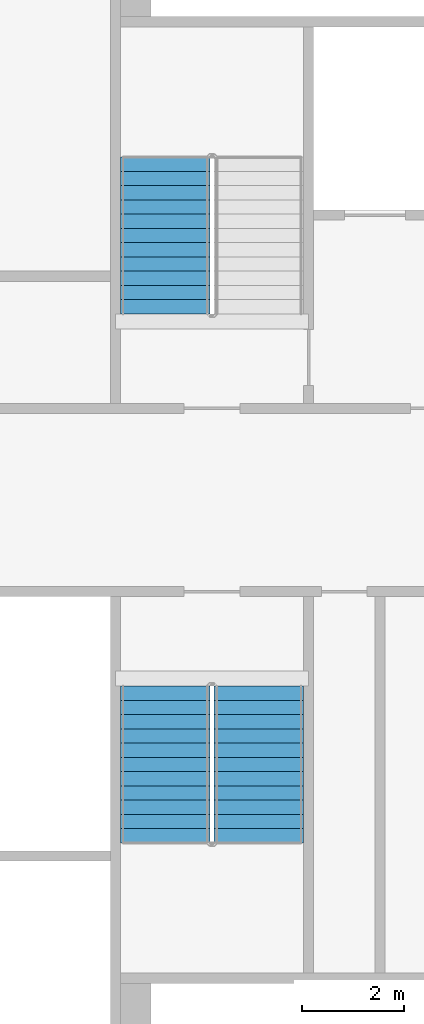
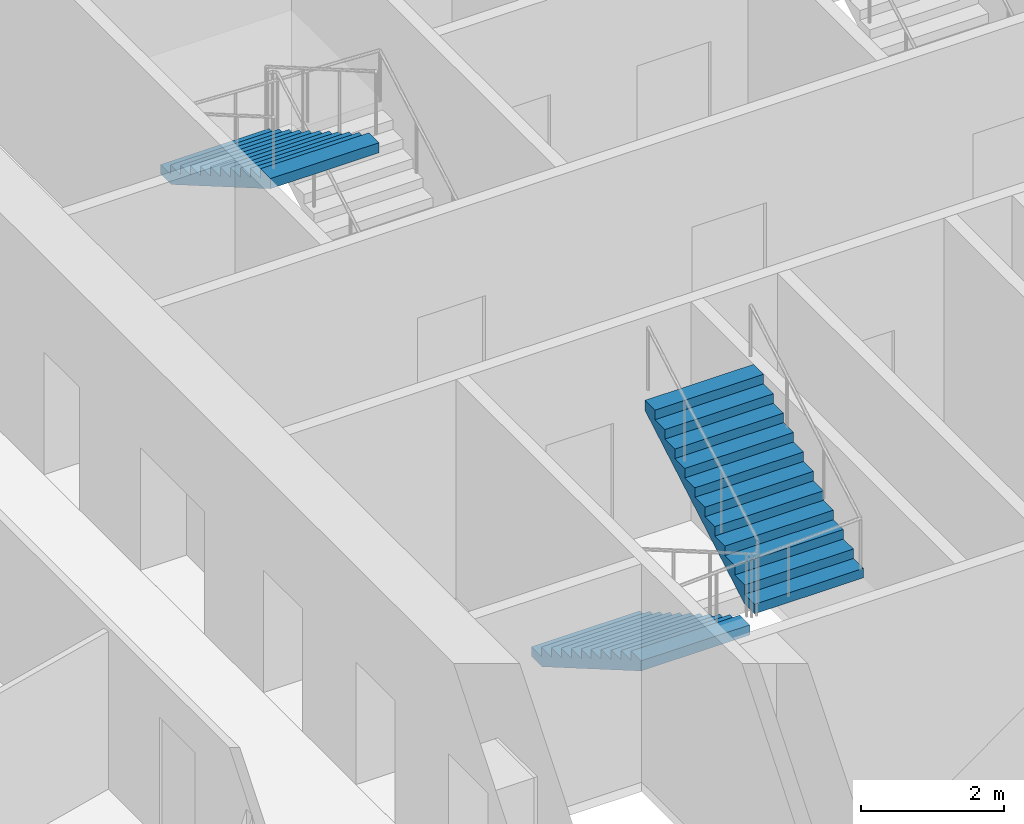
# One storey, part 8 of 16: 3 stair flights, 2 elements without a shape of their own.
"""IFC4 building model written with IfcOpenShell, lengths in metres."""

from ifc_helpers import new_model, si_unit, direction, frame, origin, place, context, subcontext, project, spatial, faceted_brep, material, type_object, element, aggregate, save


model = new_model("IFC4")

# Units and contexts
model_context = context("Model", 3, precision=1e-05, world=origin(), true_north=direction((0.0, 1.0)))
body_context = subcontext(model_context, "Body", "Model", "MODEL_VIEW")
ifc_project = project(units=[si_unit("LENGTHUNIT", "METRE"), si_unit("AREAUNIT", "SQUARE_METRE"), si_unit("VOLUMEUNIT", "CUBIC_METRE"), si_unit("PLANEANGLEUNIT", "RADIAN"), si_unit("MASSUNIT", "GRAM", prefix="KILO")], contexts=[model_context])

# Site, building, storey
site_placement = place(None, origin())
site = spatial("IfcSite", under=ifc_project, at=site_placement, CompositionType="ELEMENT")
building_placement = place(site_placement, origin())
building = spatial("IfcBuilding", under=site, at=building_placement, Name="Tarsis Ring Headquarters", CompositionType="ELEMENT")
storey_placement = place(building_placement, frame((0.0, 0.0, 120.10009765625)))
storey = spatial("IfcBuildingStorey", under=building, at=storey_placement, Name="L27", CompositionType="ELEMENT", Elevation=120.10009765625)

# Stair, stair flight
ifc_material_1 = material(Name="Core stair 1760")
stair_type = type_object("IfcStairType", Name="Core stair 1760", PredefinedType="HALF_TURN_STAIR", material=ifc_material_1)
stair_1_placement = place(storey_placement, origin())
stair_1 = element("IfcStair", 1, at=stair_1_placement, inside=storey, type_object=stair_type, Name="L27 Firefighting stair", PredefinedType="HALF_TURN_STAIR")
ifc_material_2 = material(Name="Concrete C40/50", Category="concrete")
stair_flight_type = type_object("IfcStairFlightType", Name="Core stair flight 1760", PredefinedType="STRAIGHT", material=ifc_material_2)
stair_flight_1_placement = place(storey_placement, frame((-5.419921875, 6.739990234375, 1.949951171875), z_axis=(0.0, 0.0, 1.0), x_axis=(0.0, -1.0, 0.0)))
stair_flight_1 = element("IfcStairFlight", 2, at=stair_flight_1_placement, type_object=stair_flight_type, Name="Stair ST1 flight 2", NumberOfRisers=12, NumberOfTreads=11, PredefinedType="STRAIGHT", RiserHeight=0.1625, TreadLength=0.28, context=body_context, shape_type="Brep", body=[
    faceted_brep([(0.0, 0.8798828125, 0.0), (0.0, 0.8798828125, 0.16259765625), (0.280029296875, 0.8798828125, 0.16259765625), (0.280029296875, 0.8798828125, 0.324951171875), (0.56005859375, 0.8798828125, 0.324951171875), (0.56005859375, 0.8798828125, 0.487548828125), (0.840087890625, 0.8798828125, 0.487548828125), (0.840087890625, 0.8798828125, 0.64990234375), (1.1201171875, 0.8798828125, 0.64990234375), (1.1201171875, 0.8798828125, 0.8125), (1.39990234375, 0.8798828125, 0.8125), (1.39990234375, 0.8798828125, 0.97509765625), (1.679931640625, 0.8798828125, 0.97509765625), (1.679931640625, 0.8798828125, 1.137451171875), (1.9599609375, 0.8798828125, 1.137451171875), (1.9599609375, 0.8798828125, 1.300048828125), (2.239990234375, 0.8798828125, 1.300048828125), (2.239990234375, 0.8798828125, 1.46240234375), (2.52001953125, 0.8798828125, 1.46240234375), (2.52001953125, 0.8798828125, 1.625), (2.800048828125, 0.8798828125, 1.625), (2.800048828125, 0.8798828125, 1.78759765625), (3.080078125, 0.8798828125, 1.78759765625), (3.080078125, 0.8798828125, 1.6142578125), (0.298583984375, 0.8798828125, 0.0), (0.298583984375, -0.8798828125, 0.0), (3.080078125, -0.8798828125, 1.6142578125), (3.080078125, -0.8798828125, 1.78759765625), (2.800048828125, -0.8798828125, 1.78759765625), (2.800048828125, -0.8798828125, 1.625), (2.52001953125, -0.8798828125, 1.625), (2.52001953125, -0.8798828125, 1.46240234375), (2.239990234375, -0.8798828125, 1.46240234375), (2.239990234375, -0.8798828125, 1.300048828125), (1.9599609375, -0.8798828125, 1.300048828125), (1.9599609375, -0.8798828125, 1.137451171875), (1.679931640625, -0.8798828125, 1.137451171875), (1.679931640625, -0.8798828125, 0.97509765625), (1.39990234375, -0.8798828125, 0.97509765625), (1.39990234375, -0.8798828125, 0.8125), (1.1201171875, -0.8798828125, 0.8125), (1.1201171875, -0.8798828125, 0.64990234375), (0.840087890625, -0.8798828125, 0.64990234375), (0.840087890625, -0.8798828125, 0.487548828125), (0.56005859375, -0.8798828125, 0.487548828125), (0.56005859375, -0.8798828125, 0.324951171875), (0.280029296875, -0.8798828125, 0.324951171875), (0.280029296875, -0.8798828125, 0.16259765625), (0.0, -0.8798828125, 0.16259765625), (0.0, -0.8798828125, 0.0), (0.0, -0.43994140625, 0.16259765625), (0.0, -0.43994140625, 0.0), (0.0, 0.0, 0.16259765625), (0.0, 0.0, 0.0), (0.0, 0.43994140625, 0.16259765625), (0.0, 0.43994140625, 0.0), (0.280029296875, -0.43994140625, 0.16259765625), (0.280029296875, 0.0, 0.16259765625), (0.280029296875, 0.43994140625, 0.16259765625), (0.280029296875, -0.43994140625, 0.324951171875), (0.280029296875, 0.0, 0.324951171875), (0.280029296875, 0.43994140625, 0.324951171875), (0.56005859375, -0.43994140625, 0.324951171875), (0.56005859375, 0.0, 0.324951171875), (0.56005859375, 0.43994140625, 0.324951171875), (0.56005859375, -0.43994140625, 0.487548828125), (0.56005859375, 0.0, 0.487548828125), (0.56005859375, 0.43994140625, 0.487548828125), (0.840087890625, -0.43994140625, 0.487548828125), (0.840087890625, 0.0, 0.487548828125), (0.840087890625, 0.43994140625, 0.487548828125), (0.840087890625, -0.43994140625, 0.64990234375), (0.840087890625, 0.0, 0.64990234375), (0.840087890625, 0.43994140625, 0.64990234375), (1.1201171875, -0.43994140625, 0.64990234375), (1.1201171875, 0.0, 0.64990234375), (1.1201171875, 0.43994140625, 0.64990234375), (1.1201171875, -0.43994140625, 0.8125), (1.1201171875, 0.0, 0.8125), (1.1201171875, 0.43994140625, 0.8125), (1.39990234375, -0.43994140625, 0.8125), (1.39990234375, 0.0, 0.8125), (1.39990234375, 0.43994140625, 0.8125), (1.39990234375, -0.43994140625, 0.97509765625), (1.39990234375, 0.0, 0.97509765625), (1.39990234375, 0.43994140625, 0.97509765625), (1.679931640625, -0.43994140625, 0.97509765625), (1.679931640625, 0.0, 0.97509765625), (1.679931640625, 0.43994140625, 0.97509765625), (1.679931640625, -0.43994140625, 1.137451171875), (1.679931640625, 0.0, 1.137451171875), (1.679931640625, 0.43994140625, 1.137451171875), (1.9599609375, -0.43994140625, 1.137451171875), (1.9599609375, 0.0, 1.137451171875), (1.9599609375, 0.43994140625, 1.137451171875), (1.9599609375, -0.43994140625, 1.300048828125), (1.9599609375, 0.0, 1.300048828125), (1.9599609375, 0.43994140625, 1.300048828125), (2.239990234375, -0.43994140625, 1.300048828125), (2.239990234375, 0.0, 1.300048828125), (2.239990234375, 0.43994140625, 1.300048828125), (2.239990234375, -0.43994140625, 1.46240234375), (2.239990234375, 0.0, 1.46240234375), (2.239990234375, 0.43994140625, 1.46240234375), (2.52001953125, -0.43994140625, 1.46240234375), (2.52001953125, 0.0, 1.46240234375), (2.52001953125, 0.43994140625, 1.46240234375), (2.52001953125, -0.43994140625, 1.625), (2.52001953125, 0.0, 1.625), (2.52001953125, 0.43994140625, 1.625), (2.800048828125, -0.43994140625, 1.625), (2.800048828125, 0.0, 1.625), (2.800048828125, 0.43994140625, 1.625), (2.800048828125, -0.43994140625, 1.78759765625), (2.800048828125, 0.0, 1.78759765625), (2.800048828125, 0.43994140625, 1.78759765625), (3.080078125, -0.43994140625, 1.78759765625), (3.080078125, 0.0, 1.78759765625), (3.080078125, 0.43994140625, 1.78759765625), (3.080078125, -0.43994140625, 1.6142578125), (3.080078125, 0.0, 1.6142578125), (3.080078125, 0.43994140625, 1.6142578125), (0.298583984375, -0.43994140625, 0.0), (0.298583984375, 0.0, 0.0), (0.298583984375, 0.43994140625, 0.0)], [[[0, 1, 2, 3, 4, 5, 6, 7, 8, 9, 10, 11, 12, 13, 14, 15, 16, 17, 18, 19, 20, 21, 22, 23, 24]], [[25, 26, 27, 28, 29, 30, 31, 32, 33, 34, 35, 36, 37, 38, 39, 40, 41, 42, 43, 44, 45, 46, 47, 48, 49]], [[49, 48, 50, 51]], [[51, 50, 52, 53]], [[53, 52, 54, 55]], [[55, 54, 1, 0]], [[48, 47, 56, 50]], [[50, 56, 57, 52]], [[52, 57, 58, 54]], [[54, 58, 2, 1]], [[47, 46, 59, 56]], [[56, 59, 60, 57]], [[57, 60, 61, 58]], [[58, 61, 3, 2]], [[46, 45, 62, 59]], [[59, 62, 63, 60]], [[60, 63, 64, 61]], [[61, 64, 4, 3]], [[45, 44, 65, 62]], [[62, 65, 66, 63]], [[63, 66, 67, 64]], [[64, 67, 5, 4]], [[44, 43, 68, 65]], [[65, 68, 69, 66]], [[66, 69, 70, 67]], [[67, 70, 6, 5]], [[43, 42, 71, 68]], [[68, 71, 72, 69]], [[69, 72, 73, 70]], [[70, 73, 7, 6]], [[42, 41, 74, 71]], [[71, 74, 75, 72]], [[72, 75, 76, 73]], [[73, 76, 8, 7]], [[41, 40, 77, 74]], [[74, 77, 78, 75]], [[75, 78, 79, 76]], [[76, 79, 9, 8]], [[40, 39, 80, 77]], [[77, 80, 81, 78]], [[78, 81, 82, 79]], [[79, 82, 10, 9]], [[39, 38, 83, 80]], [[80, 83, 84, 81]], [[81, 84, 85, 82]], [[82, 85, 11, 10]], [[38, 37, 86, 83]], [[83, 86, 87, 84]], [[84, 87, 88, 85]], [[85, 88, 12, 11]], [[37, 36, 89, 86]], [[86, 89, 90, 87]], [[87, 90, 91, 88]], [[88, 91, 13, 12]], [[36, 35, 92, 89]], [[89, 92, 93, 90]], [[90, 93, 94, 91]], [[91, 94, 14, 13]], [[35, 34, 95, 92]], [[92, 95, 96, 93]], [[93, 96, 97, 94]], [[94, 97, 15, 14]], [[34, 33, 98, 95]], [[95, 98, 99, 96]], [[96, 99, 100, 97]], [[97, 100, 16, 15]], [[33, 32, 101, 98]], [[98, 101, 102, 99]], [[99, 102, 103, 100]], [[100, 103, 17, 16]], [[32, 31, 104, 101]], [[101, 104, 105, 102]], [[102, 105, 106, 103]], [[103, 106, 18, 17]], [[31, 30, 107, 104]], [[104, 107, 108, 105]], [[105, 108, 109, 106]], [[106, 109, 19, 18]], [[30, 29, 110, 107]], [[107, 110, 111, 108]], [[108, 111, 112, 109]], [[109, 112, 20, 19]], [[29, 28, 113, 110]], [[110, 113, 114, 111]], [[111, 114, 115, 112]], [[112, 115, 21, 20]], [[28, 27, 116, 113]], [[113, 116, 117, 114]], [[114, 117, 118, 115]], [[115, 118, 22, 21]], [[27, 26, 119, 116]], [[116, 119, 120, 117]], [[117, 120, 121, 118]], [[118, 121, 23, 22]], [[26, 25, 122, 119]], [[119, 122, 123, 120]], [[120, 123, 124, 121]], [[121, 124, 24, 23]], [[25, 49, 51, 122]], [[122, 51, 53, 123]], [[123, 53, 55, 124]], [[124, 55, 0, 24]]]),
])
aggregate(stair_1, [stair_flight_1])

# Stair, stair flights
stair_2_placement = place(storey_placement, origin())
stair_2 = element("IfcStair", 3, at=stair_2_placement, inside=storey, type_object=stair_type, Name="L27 Exit stair C", PredefinedType="HALF_TURN_STAIR")
stair_flight_2_placement = place(storey_placement, frame((-5.419921875, -3.659912109375, 0.0), z_axis=(0.0, 0.0, 1.0), x_axis=(0.0, -1.0, 0.0)))
stair_flight_2 = element("IfcStairFlight", 4, at=stair_flight_2_placement, type_object=stair_flight_type, Name="Stair ST3 flight 1", NumberOfRisers=12, NumberOfTreads=11, PredefinedType="STRAIGHT", RiserHeight=0.1625, TreadLength=0.28, context=body_context, shape_type="Brep", body=[
    faceted_brep([(0.0, 0.8798828125, 0.0), (0.0, 0.8798828125, 0.16259765625), (0.280029296875, 0.8798828125, 0.16259765625), (0.280029296875, 0.8798828125, 0.324951171875), (0.56005859375, 0.8798828125, 0.324951171875), (0.56005859375, 0.8798828125, 0.487548828125), (0.840087890625, 0.8798828125, 0.487548828125), (0.840087890625, 0.8798828125, 0.64990234375), (1.1201171875, 0.8798828125, 0.64990234375), (1.1201171875, 0.8798828125, 0.8125), (1.39990234375, 0.8798828125, 0.8125), (1.39990234375, 0.8798828125, 0.97509765625), (1.679931640625, 0.8798828125, 0.97509765625), (1.679931640625, 0.8798828125, 1.137451171875), (1.9599609375, 0.8798828125, 1.137451171875), (1.9599609375, 0.8798828125, 1.300048828125), (2.239990234375, 0.8798828125, 1.300048828125), (2.239990234375, 0.8798828125, 1.46240234375), (2.52001953125, 0.8798828125, 1.46240234375), (2.52001953125, 0.8798828125, 1.625), (2.800048828125, 0.8798828125, 1.625), (2.800048828125, 0.8798828125, 1.78759765625), (3.080078125, 0.8798828125, 1.78759765625), (3.080078125, 0.8798828125, 1.6142578125), (0.298583984375, 0.8798828125, 0.0), (0.298583984375, -0.8798828125, 0.0), (3.080078125, -0.8798828125, 1.6142578125), (3.080078125, -0.8798828125, 1.78759765625), (2.800048828125, -0.8798828125, 1.78759765625), (2.800048828125, -0.8798828125, 1.625), (2.52001953125, -0.8798828125, 1.625), (2.52001953125, -0.8798828125, 1.46240234375), (2.239990234375, -0.8798828125, 1.46240234375), (2.239990234375, -0.8798828125, 1.300048828125), (1.9599609375, -0.8798828125, 1.300048828125), (1.9599609375, -0.8798828125, 1.137451171875), (1.679931640625, -0.8798828125, 1.137451171875), (1.679931640625, -0.8798828125, 0.97509765625), (1.39990234375, -0.8798828125, 0.97509765625), (1.39990234375, -0.8798828125, 0.8125), (1.1201171875, -0.8798828125, 0.8125), (1.1201171875, -0.8798828125, 0.64990234375), (0.840087890625, -0.8798828125, 0.64990234375), (0.840087890625, -0.8798828125, 0.487548828125), (0.56005859375, -0.8798828125, 0.487548828125), (0.56005859375, -0.8798828125, 0.324951171875), (0.280029296875, -0.8798828125, 0.324951171875), (0.280029296875, -0.8798828125, 0.16259765625), (0.0, -0.8798828125, 0.16259765625), (0.0, -0.8798828125, 0.0), (0.0, -0.43994140625, 0.16259765625), (0.0, -0.43994140625, 0.0), (0.0, 0.0, 0.16259765625), (0.0, 0.0, 0.0), (0.0, 0.43994140625, 0.16259765625), (0.0, 0.43994140625, 0.0), (0.280029296875, -0.43994140625, 0.16259765625), (0.280029296875, 0.0, 0.16259765625), (0.280029296875, 0.43994140625, 0.16259765625), (0.280029296875, -0.43994140625, 0.324951171875), (0.280029296875, 0.0, 0.324951171875), (0.280029296875, 0.43994140625, 0.324951171875), (0.56005859375, -0.43994140625, 0.324951171875), (0.56005859375, 0.0, 0.324951171875), (0.56005859375, 0.43994140625, 0.324951171875), (0.56005859375, -0.43994140625, 0.487548828125), (0.56005859375, 0.0, 0.487548828125), (0.56005859375, 0.43994140625, 0.487548828125), (0.840087890625, -0.43994140625, 0.487548828125), (0.840087890625, 0.0, 0.487548828125), (0.840087890625, 0.43994140625, 0.487548828125), (0.840087890625, -0.43994140625, 0.64990234375), (0.840087890625, 0.0, 0.64990234375), (0.840087890625, 0.43994140625, 0.64990234375), (1.1201171875, -0.43994140625, 0.64990234375), (1.1201171875, 0.0, 0.64990234375), (1.1201171875, 0.43994140625, 0.64990234375), (1.1201171875, -0.43994140625, 0.8125), (1.1201171875, 0.0, 0.8125), (1.1201171875, 0.43994140625, 0.8125), (1.39990234375, -0.43994140625, 0.8125), (1.39990234375, 0.0, 0.8125), (1.39990234375, 0.43994140625, 0.8125), (1.39990234375, -0.43994140625, 0.97509765625), (1.39990234375, 0.0, 0.97509765625), (1.39990234375, 0.43994140625, 0.97509765625), (1.679931640625, -0.43994140625, 0.97509765625), (1.679931640625, 0.0, 0.97509765625), (1.679931640625, 0.43994140625, 0.97509765625), (1.679931640625, -0.43994140625, 1.137451171875), (1.679931640625, 0.0, 1.137451171875), (1.679931640625, 0.43994140625, 1.137451171875), (1.9599609375, -0.43994140625, 1.137451171875), (1.9599609375, 0.0, 1.137451171875), (1.9599609375, 0.43994140625, 1.137451171875), (1.9599609375, -0.43994140625, 1.300048828125), (1.9599609375, 0.0, 1.300048828125), (1.9599609375, 0.43994140625, 1.300048828125), (2.239990234375, -0.43994140625, 1.300048828125), (2.239990234375, 0.0, 1.300048828125), (2.239990234375, 0.43994140625, 1.300048828125), (2.239990234375, -0.43994140625, 1.46240234375), (2.239990234375, 0.0, 1.46240234375), (2.239990234375, 0.43994140625, 1.46240234375), (2.52001953125, -0.43994140625, 1.46240234375), (2.52001953125, 0.0, 1.46240234375), (2.52001953125, 0.43994140625, 1.46240234375), (2.52001953125, -0.43994140625, 1.625), (2.52001953125, 0.0, 1.625), (2.52001953125, 0.43994140625, 1.625), (2.800048828125, -0.43994140625, 1.625), (2.800048828125, 0.0, 1.625), (2.800048828125, 0.43994140625, 1.625), (2.800048828125, -0.43994140625, 1.78759765625), (2.800048828125, 0.0, 1.78759765625), (2.800048828125, 0.43994140625, 1.78759765625), (3.080078125, -0.43994140625, 1.78759765625), (3.080078125, 0.0, 1.78759765625), (3.080078125, 0.43994140625, 1.78759765625), (3.080078125, -0.43994140625, 1.6142578125), (3.080078125, 0.0, 1.6142578125), (3.080078125, 0.43994140625, 1.6142578125), (0.298583984375, -0.43994140625, 0.0), (0.298583984375, 0.0, 0.0), (0.298583984375, 0.43994140625, 0.0)], [[[0, 1, 2, 3, 4, 5, 6, 7, 8, 9, 10, 11, 12, 13, 14, 15, 16, 17, 18, 19, 20, 21, 22, 23, 24]], [[25, 26, 27, 28, 29, 30, 31, 32, 33, 34, 35, 36, 37, 38, 39, 40, 41, 42, 43, 44, 45, 46, 47, 48, 49]], [[49, 48, 50, 51]], [[51, 50, 52, 53]], [[53, 52, 54, 55]], [[55, 54, 1, 0]], [[48, 47, 56, 50]], [[50, 56, 57, 52]], [[52, 57, 58, 54]], [[54, 58, 2, 1]], [[47, 46, 59, 56]], [[56, 59, 60, 57]], [[57, 60, 61, 58]], [[58, 61, 3, 2]], [[46, 45, 62, 59]], [[59, 62, 63, 60]], [[60, 63, 64, 61]], [[61, 64, 4, 3]], [[45, 44, 65, 62]], [[62, 65, 66, 63]], [[63, 66, 67, 64]], [[64, 67, 5, 4]], [[44, 43, 68, 65]], [[65, 68, 69, 66]], [[66, 69, 70, 67]], [[67, 70, 6, 5]], [[43, 42, 71, 68]], [[68, 71, 72, 69]], [[69, 72, 73, 70]], [[70, 73, 7, 6]], [[42, 41, 74, 71]], [[71, 74, 75, 72]], [[72, 75, 76, 73]], [[73, 76, 8, 7]], [[41, 40, 77, 74]], [[74, 77, 78, 75]], [[75, 78, 79, 76]], [[76, 79, 9, 8]], [[40, 39, 80, 77]], [[77, 80, 81, 78]], [[78, 81, 82, 79]], [[79, 82, 10, 9]], [[39, 38, 83, 80]], [[80, 83, 84, 81]], [[81, 84, 85, 82]], [[82, 85, 11, 10]], [[38, 37, 86, 83]], [[83, 86, 87, 84]], [[84, 87, 88, 85]], [[85, 88, 12, 11]], [[37, 36, 89, 86]], [[86, 89, 90, 87]], [[87, 90, 91, 88]], [[88, 91, 13, 12]], [[36, 35, 92, 89]], [[89, 92, 93, 90]], [[90, 93, 94, 91]], [[91, 94, 14, 13]], [[35, 34, 95, 92]], [[92, 95, 96, 93]], [[93, 96, 97, 94]], [[94, 97, 15, 14]], [[34, 33, 98, 95]], [[95, 98, 99, 96]], [[96, 99, 100, 97]], [[97, 100, 16, 15]], [[33, 32, 101, 98]], [[98, 101, 102, 99]], [[99, 102, 103, 100]], [[100, 103, 17, 16]], [[32, 31, 104, 101]], [[101, 104, 105, 102]], [[102, 105, 106, 103]], [[103, 106, 18, 17]], [[31, 30, 107, 104]], [[104, 107, 108, 105]], [[105, 108, 109, 106]], [[106, 109, 19, 18]], [[30, 29, 110, 107]], [[107, 110, 111, 108]], [[108, 111, 112, 109]], [[109, 112, 20, 19]], [[29, 28, 113, 110]], [[110, 113, 114, 111]], [[111, 114, 115, 112]], [[112, 115, 21, 20]], [[28, 27, 116, 113]], [[113, 116, 117, 114]], [[114, 117, 118, 115]], [[115, 118, 22, 21]], [[27, 26, 119, 116]], [[116, 119, 120, 117]], [[117, 120, 121, 118]], [[118, 121, 23, 22]], [[26, 25, 122, 119]], [[119, 122, 123, 120]], [[120, 123, 124, 121]], [[121, 124, 24, 23]], [[25, 49, 51, 122]], [[122, 51, 53, 123]], [[123, 53, 55, 124]], [[124, 55, 0, 24]]]),
])
stair_flight_3_placement = place(storey_placement, frame((-3.580078125, -6.739990234375, 1.949951171875), z_axis=(0.0, 0.0, 1.0), x_axis=(0.0, 1.0, 0.0)))
stair_flight_3 = element("IfcStairFlight", 5, at=stair_flight_3_placement, type_object=stair_flight_type, Name="Stair ST3 flight 2", NumberOfRisers=12, NumberOfTreads=11, PredefinedType="STRAIGHT", RiserHeight=0.1625, TreadLength=0.28, context=body_context, shape_type="Brep", body=[
    faceted_brep([(0.0, 0.8798828125, 0.0), (0.0, 0.8798828125, 0.16259765625), (0.280029296875, 0.8798828125, 0.16259765625), (0.280029296875, 0.8798828125, 0.324951171875), (0.56005859375, 0.8798828125, 0.324951171875), (0.56005859375, 0.8798828125, 0.487548828125), (0.840087890625, 0.8798828125, 0.487548828125), (0.840087890625, 0.8798828125, 0.64990234375), (1.1201171875, 0.8798828125, 0.64990234375), (1.1201171875, 0.8798828125, 0.8125), (1.39990234375, 0.8798828125, 0.8125), (1.39990234375, 0.8798828125, 0.97509765625), (1.679931640625, 0.8798828125, 0.97509765625), (1.679931640625, 0.8798828125, 1.137451171875), (1.9599609375, 0.8798828125, 1.137451171875), (1.9599609375, 0.8798828125, 1.300048828125), (2.239990234375, 0.8798828125, 1.300048828125), (2.239990234375, 0.8798828125, 1.46240234375), (2.52001953125, 0.8798828125, 1.46240234375), (2.52001953125, 0.8798828125, 1.625), (2.800048828125, 0.8798828125, 1.625), (2.800048828125, 0.8798828125, 1.78759765625), (3.080078125, 0.8798828125, 1.78759765625), (3.080078125, 0.8798828125, 1.6142578125), (0.298583984375, 0.8798828125, 0.0), (0.298583984375, -0.8798828125, 0.0), (3.080078125, -0.8798828125, 1.6142578125), (3.080078125, -0.8798828125, 1.78759765625), (2.800048828125, -0.8798828125, 1.78759765625), (2.800048828125, -0.8798828125, 1.625), (2.52001953125, -0.8798828125, 1.625), (2.52001953125, -0.8798828125, 1.46240234375), (2.239990234375, -0.8798828125, 1.46240234375), (2.239990234375, -0.8798828125, 1.300048828125), (1.9599609375, -0.8798828125, 1.300048828125), (1.9599609375, -0.8798828125, 1.137451171875), (1.679931640625, -0.8798828125, 1.137451171875), (1.679931640625, -0.8798828125, 0.97509765625), (1.39990234375, -0.8798828125, 0.97509765625), (1.39990234375, -0.8798828125, 0.8125), (1.1201171875, -0.8798828125, 0.8125), (1.1201171875, -0.8798828125, 0.64990234375), (0.840087890625, -0.8798828125, 0.64990234375), (0.840087890625, -0.8798828125, 0.487548828125), (0.56005859375, -0.8798828125, 0.487548828125), (0.56005859375, -0.8798828125, 0.324951171875), (0.280029296875, -0.8798828125, 0.324951171875), (0.280029296875, -0.8798828125, 0.16259765625), (0.0, -0.8798828125, 0.16259765625), (0.0, -0.8798828125, 0.0), (0.0, -0.43994140625, 0.16259765625), (0.0, -0.43994140625, 0.0), (0.0, 0.0, 0.16259765625), (0.0, 0.0, 0.0), (0.0, 0.43994140625, 0.16259765625), (0.0, 0.43994140625, 0.0), (0.280029296875, -0.43994140625, 0.16259765625), (0.280029296875, 0.0, 0.16259765625), (0.280029296875, 0.43994140625, 0.16259765625), (0.280029296875, -0.43994140625, 0.324951171875), (0.280029296875, 0.0, 0.324951171875), (0.280029296875, 0.43994140625, 0.324951171875), (0.56005859375, -0.43994140625, 0.324951171875), (0.56005859375, 0.0, 0.324951171875), (0.56005859375, 0.43994140625, 0.324951171875), (0.56005859375, -0.43994140625, 0.487548828125), (0.56005859375, 0.0, 0.487548828125), (0.56005859375, 0.43994140625, 0.487548828125), (0.840087890625, -0.43994140625, 0.487548828125), (0.840087890625, 0.0, 0.487548828125), (0.840087890625, 0.43994140625, 0.487548828125), (0.840087890625, -0.43994140625, 0.64990234375), (0.840087890625, 0.0, 0.64990234375), (0.840087890625, 0.43994140625, 0.64990234375), (1.1201171875, -0.43994140625, 0.64990234375), (1.1201171875, 0.0, 0.64990234375), (1.1201171875, 0.43994140625, 0.64990234375), (1.1201171875, -0.43994140625, 0.8125), (1.1201171875, 0.0, 0.8125), (1.1201171875, 0.43994140625, 0.8125), (1.39990234375, -0.43994140625, 0.8125), (1.39990234375, 0.0, 0.8125), (1.39990234375, 0.43994140625, 0.8125), (1.39990234375, -0.43994140625, 0.97509765625), (1.39990234375, 0.0, 0.97509765625), (1.39990234375, 0.43994140625, 0.97509765625), (1.679931640625, -0.43994140625, 0.97509765625), (1.679931640625, 0.0, 0.97509765625), (1.679931640625, 0.43994140625, 0.97509765625), (1.679931640625, -0.43994140625, 1.137451171875), (1.679931640625, 0.0, 1.137451171875), (1.679931640625, 0.43994140625, 1.137451171875), (1.9599609375, -0.43994140625, 1.137451171875), (1.9599609375, 0.0, 1.137451171875), (1.9599609375, 0.43994140625, 1.137451171875), (1.9599609375, -0.43994140625, 1.300048828125), (1.9599609375, 0.0, 1.300048828125), (1.9599609375, 0.43994140625, 1.300048828125), (2.239990234375, -0.43994140625, 1.300048828125), (2.239990234375, 0.0, 1.300048828125), (2.239990234375, 0.43994140625, 1.300048828125), (2.239990234375, -0.43994140625, 1.46240234375), (2.239990234375, 0.0, 1.46240234375), (2.239990234375, 0.43994140625, 1.46240234375), (2.52001953125, -0.43994140625, 1.46240234375), (2.52001953125, 0.0, 1.46240234375), (2.52001953125, 0.43994140625, 1.46240234375), (2.52001953125, -0.43994140625, 1.625), (2.52001953125, 0.0, 1.625), (2.52001953125, 0.43994140625, 1.625), (2.800048828125, -0.43994140625, 1.625), (2.800048828125, 0.0, 1.625), (2.800048828125, 0.43994140625, 1.625), (2.800048828125, -0.43994140625, 1.78759765625), (2.800048828125, 0.0, 1.78759765625), (2.800048828125, 0.43994140625, 1.78759765625), (3.080078125, -0.43994140625, 1.78759765625), (3.080078125, 0.0, 1.78759765625), (3.080078125, 0.43994140625, 1.78759765625), (3.080078125, -0.43994140625, 1.6142578125), (3.080078125, 0.0, 1.6142578125), (3.080078125, 0.43994140625, 1.6142578125), (0.298583984375, -0.43994140625, 0.0), (0.298583984375, 0.0, 0.0), (0.298583984375, 0.43994140625, 0.0)], [[[0, 1, 2, 3, 4, 5, 6, 7, 8, 9, 10, 11, 12, 13, 14, 15, 16, 17, 18, 19, 20, 21, 22, 23, 24]], [[25, 26, 27, 28, 29, 30, 31, 32, 33, 34, 35, 36, 37, 38, 39, 40, 41, 42, 43, 44, 45, 46, 47, 48, 49]], [[49, 48, 50, 51]], [[51, 50, 52, 53]], [[53, 52, 54, 55]], [[55, 54, 1, 0]], [[48, 47, 56, 50]], [[50, 56, 57, 52]], [[52, 57, 58, 54]], [[54, 58, 2, 1]], [[47, 46, 59, 56]], [[56, 59, 60, 57]], [[57, 60, 61, 58]], [[58, 61, 3, 2]], [[46, 45, 62, 59]], [[59, 62, 63, 60]], [[60, 63, 64, 61]], [[61, 64, 4, 3]], [[45, 44, 65, 62]], [[62, 65, 66, 63]], [[63, 66, 67, 64]], [[64, 67, 5, 4]], [[44, 43, 68, 65]], [[65, 68, 69, 66]], [[66, 69, 70, 67]], [[67, 70, 6, 5]], [[43, 42, 71, 68]], [[68, 71, 72, 69]], [[69, 72, 73, 70]], [[70, 73, 7, 6]], [[42, 41, 74, 71]], [[71, 74, 75, 72]], [[72, 75, 76, 73]], [[73, 76, 8, 7]], [[41, 40, 77, 74]], [[74, 77, 78, 75]], [[75, 78, 79, 76]], [[76, 79, 9, 8]], [[40, 39, 80, 77]], [[77, 80, 81, 78]], [[78, 81, 82, 79]], [[79, 82, 10, 9]], [[39, 38, 83, 80]], [[80, 83, 84, 81]], [[81, 84, 85, 82]], [[82, 85, 11, 10]], [[38, 37, 86, 83]], [[83, 86, 87, 84]], [[84, 87, 88, 85]], [[85, 88, 12, 11]], [[37, 36, 89, 86]], [[86, 89, 90, 87]], [[87, 90, 91, 88]], [[88, 91, 13, 12]], [[36, 35, 92, 89]], [[89, 92, 93, 90]], [[90, 93, 94, 91]], [[91, 94, 14, 13]], [[35, 34, 95, 92]], [[92, 95, 96, 93]], [[93, 96, 97, 94]], [[94, 97, 15, 14]], [[34, 33, 98, 95]], [[95, 98, 99, 96]], [[96, 99, 100, 97]], [[97, 100, 16, 15]], [[33, 32, 101, 98]], [[98, 101, 102, 99]], [[99, 102, 103, 100]], [[100, 103, 17, 16]], [[32, 31, 104, 101]], [[101, 104, 105, 102]], [[102, 105, 106, 103]], [[103, 106, 18, 17]], [[31, 30, 107, 104]], [[104, 107, 108, 105]], [[105, 108, 109, 106]], [[106, 109, 19, 18]], [[30, 29, 110, 107]], [[107, 110, 111, 108]], [[108, 111, 112, 109]], [[109, 112, 20, 19]], [[29, 28, 113, 110]], [[110, 113, 114, 111]], [[111, 114, 115, 112]], [[112, 115, 21, 20]], [[28, 27, 116, 113]], [[113, 116, 117, 114]], [[114, 117, 118, 115]], [[115, 118, 22, 21]], [[27, 26, 119, 116]], [[116, 119, 120, 117]], [[117, 120, 121, 118]], [[118, 121, 23, 22]], [[26, 25, 122, 119]], [[119, 122, 123, 120]], [[120, 123, 124, 121]], [[121, 124, 24, 23]], [[25, 49, 51, 122]], [[122, 51, 53, 123]], [[123, 53, 55, 124]], [[124, 55, 0, 24]]]),
])
aggregate(stair_2, [stair_flight_2, stair_flight_3])

save(model, "model.ifc")
